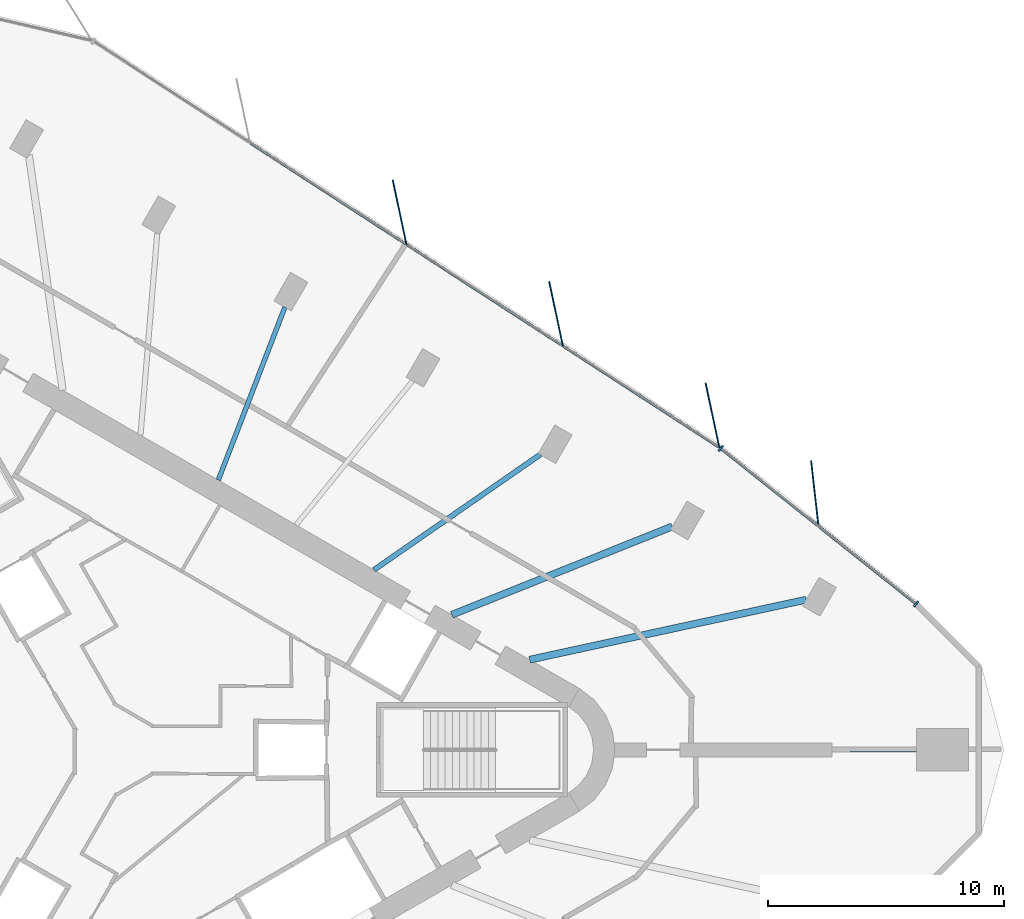
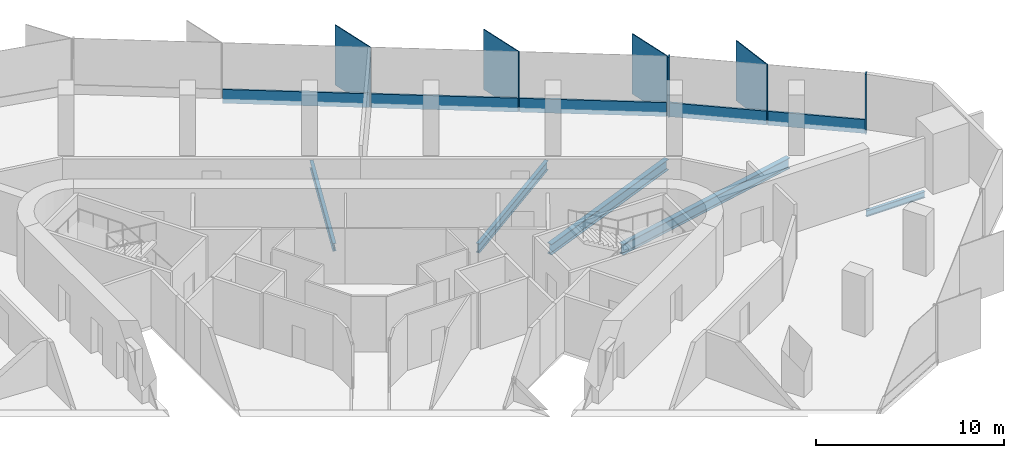
# One storey, part 5 of 13: 11 members, 5 beams, 2 elements without a shape of their own.
"""IFC4 building model written with IfcOpenShell, lengths in metres."""

import ifcopenshell
import ifcopenshell.guid

model = None  # the IFC model being written
_history = None  # IfcOwnerHistory: only IFC2X3 demands one
_inside = {}  # id of a spatial element -> (the spatial element, [elements in it])
_under = {}  # id of a project, library or spatial element -> (it, [spatial elements below it])
_declared = {}  # id of a project -> (the project, [libraries it declares])
_typed = {}  # id of a type object -> (the type object, [elements of that type])
_made_of = {}  # id of a material, layer set ... -> (it, [elements and type objects made of it])


def new_model(schema):
    """Start an empty IFC model of exactly this schema.

    Asked for "IFC4X3", IfcOpenShell would pick the latest addendum, in which some entities
    have other attributes; the version numbers below select the first issue.
    IFC2X3 requires an IfcOwnerHistory on every rooted entity: one is made here for all.
    """
    global model, _history
    if schema == "IFC4X3":
        model = ifcopenshell.file(schema_version=(4, 3, 0, 0))
    else:
        model = ifcopenshell.file(schema=schema)
    _inside.clear()
    _under.clear()
    _declared.clear()
    _typed.clear()
    _made_of.clear()
    _history = None
    if model.schema == "IFC2X3":
        org = make("IfcOrganization", Name="unknown")
        user = make(
            "IfcPersonAndOrganization",
            ThePerson=make("IfcPerson", FamilyName="unknown"),
            TheOrganization=org,
        )
        app = make(
            "IfcApplication",
            ApplicationDeveloper=org,
            Version="unknown",
            ApplicationFullName="unknown",
            ApplicationIdentifier="unknown",
        )
        _history = make(
            "IfcOwnerHistory",
            OwningUser=user,
            OwningApplication=app,
            ChangeAction="ADDED",
            CreationDate=0,
        )
    return model


def make(cls, **values):
    """One entity of the class cls with the attributes given. An attribute that is None is left unset."""
    return model.create_entity(
        cls, **{name: value for name, value in values.items() if value is not None}
    )


def rooted(cls, **values):
    """An entity with a GlobalId (a new one), such as an element, a storey or a relation."""
    return make(cls, GlobalId=ifcopenshell.guid.new(), OwnerHistory=_history, **values)


def si_unit(unit_type, name, prefix=None):
    """IfcSIUnit, for example si_unit("LENGTHUNIT", "METRE", prefix="MILLI")."""
    return make("IfcSIUnit", UnitType=unit_type, Prefix=prefix, Name=name)


def assignment(units):
    """IfcUnitAssignment: the units of a project."""
    return None if units is None else make("IfcUnitAssignment", Units=units)


def point(xyz):
    """IfcCartesianPoint."""
    return None if xyz is None else make("IfcCartesianPoint", Coordinates=xyz)


def direction(xyz):
    """IfcDirection."""
    return None if xyz is None else make("IfcDirection", DirectionRatios=xyz)


def frame(location, z_axis=None, x_axis=None):
    """IfcAxis2Placement3D, a coordinate frame: its origin and axes. An axis left out is left unset."""
    return make(
        "IfcAxis2Placement3D",
        Location=point(location),
        Axis=direction(z_axis),
        RefDirection=direction(x_axis),
    )


def frame_2d(location, x_axis=None):
    """IfcAxis2Placement2D, a coordinate frame in the plane: its origin and x axis."""
    return make(
        "IfcAxis2Placement2D", Location=point(location), RefDirection=direction(x_axis)
    )


def origin():
    """The frame at (0, 0, 0) with its axes left unset."""
    return frame((0.0, 0.0, 0.0))


def origin_2d():
    """The frame at (0, 0) in the plane with its x axis left unset."""
    return frame_2d((0.0, 0.0))


def place(relative_to, where):
    """IfcLocalPlacement: puts the frame where relative to a parent placement (None: the world)."""
    return make(
        "IfcLocalPlacement", PlacementRelTo=relative_to, RelativePlacement=where
    )


def context(
    kind, dimensions, precision=None, world=None, true_north=None, identifier=None
):
    """IfcGeometricRepresentationContext, for example the 3D "Model" context."""
    return make(
        "IfcGeometricRepresentationContext",
        ContextIdentifier=identifier,
        ContextType=kind,
        CoordinateSpaceDimension=dimensions,
        Precision=precision,
        WorldCoordinateSystem=world,
        TrueNorth=true_north,
    )


def subcontext(parent, identifier, kind, view, scale=None):
    """IfcGeometricRepresentationSubContext, for example "Body" below "Model"."""
    return make(
        "IfcGeometricRepresentationSubContext",
        ContextIdentifier=identifier,
        ContextType=kind,
        ParentContext=parent,
        TargetScale=scale,
        TargetView=view,
    )


def project(units=None, contexts=None):
    """IfcProject with its units and contexts."""
    return rooted(
        "IfcProject",
        Name="project",
        RepresentationContexts=contexts,
        UnitsInContext=assignment(units),
    )


def spatial(cls, under=None, at=None, **own):
    """A site, building, storey or space (cls), placed at a placement, below another one or the project."""
    s = rooted(cls, ObjectPlacement=at, **own)
    if under is not None:
        _under.setdefault(under.id(), (under, []))[1].append(s)
    return s


def profile(cls, at=None, kind="AREA", **sizes):
    """A parametric profile (cls). Its sizes go by their IFC names, for example OverallWidth=200.0."""
    return make(cls, ProfileType=kind, Position=at, **sizes)


def rectangle(**sizes):
    """IfcRectangleProfileDef."""
    return profile("IfcRectangleProfileDef", **sizes)


def i_section(**sizes):
    """IfcIShapeProfileDef."""
    return profile("IfcIShapeProfileDef", **sizes)


def extrude(swept, where, along, depth):
    """IfcExtrudedAreaSolid: the profile swept, set in the frame where, extruded along a direction by depth."""
    return make(
        "IfcExtrudedAreaSolid",
        SweptArea=swept,
        Position=where,
        ExtrudedDirection=direction(along),
        Depth=depth,
    )


def shape(context_of_items, identifier, shape_type, items):
    """IfcShapeRepresentation: the items that make up one representation, for example the "Body"."""
    return make(
        "IfcShapeRepresentation",
        ContextOfItems=context_of_items,
        RepresentationIdentifier=identifier,
        RepresentationType=shape_type,
        Items=items,
    )


def material(Name=None, Category=None):
    """IfcMaterial."""
    return make("IfcMaterial", Name=Name, Category=Category)


def material_profile(
    of_material, cross_section, Name=None, Category=None, Priority=None
):
    """IfcMaterialProfile: a cross section and its material."""
    return make(
        "IfcMaterialProfile",
        Name=Name,
        Material=of_material,
        Profile=cross_section,
        Priority=Priority,
        Category=Category,
    )


def profile_set(profiles, Name=None, composite=None):
    """IfcMaterialProfileSet."""
    return make(
        "IfcMaterialProfileSet",
        Name=Name,
        MaterialProfiles=profiles,
        CompositeProfile=composite,
    )


def made_of(thing, what):
    """Note that an element or type object is made of a material, layer set ...; save() writes the relation."""
    if what is not None:
        _made_of.setdefault(what.id(), (what, []))[1].append(thing)
    return thing


def type_object(cls, material=None, **own):
    """A type object (cls), such as IfcWallType, which elements share."""
    return made_of(rooted(cls, **own), material)


def element(
    cls,
    number,
    at=None,
    inside=None,
    cuts=None,
    type_object=None,
    material=None,
    context=None,
    identifier="Body",
    shape_type=None,
    held_by="IfcProductDefinitionShape",
    body=None,
    shapes=None,
    **own,
):
    """One element of the class cls, such as IfcWall. Its Tag is "e" and its number.

    at: its placement. inside: the storey or other place that contains it. cuts: it is an
    opening in that element (IfcRelVoidsElement). A single representation is given by context,
    identifier, shape_type and body (its items); several are given by shapes. held_by: the class
    of the entity that holds the representations. save() writes the other relations.
    """
    e = rooted(cls, Tag="e%d" % number, ObjectPlacement=at, **own)
    if body is not None:
        shapes = [shape(context, identifier, shape_type, body)]
    if shapes is not None:
        e.Representation = make(held_by, Representations=shapes)
    if inside is not None:
        _inside.setdefault(inside.id(), (inside, []))[1].append(e)
    if cuts is not None:
        rooted(
            "IfcRelVoidsElement", RelatingBuildingElement=cuts, RelatedOpeningElement=e
        )
    if type_object is not None:
        _typed.setdefault(type_object.id(), (type_object, []))[1].append(e)
    return made_of(e, material)


def aggregate(whole, parts):
    """IfcRelAggregates: a whole, such as a stair, and the parts it consists of."""
    return rooted("IfcRelAggregates", RelatingObject=whole, RelatedObjects=parts)


def save(model, path):
    """Write the relations noted so far, then the file.

    IfcRelAggregates (storeys below a building ...), IfcRelContainedInSpatialStructure (elements
    in a storey), IfcRelDefinesByType, IfcRelAssociatesMaterial and IfcRelDeclares: one each for
    every whole, place, type object, material and project.
    """
    for whole, parts in _under.values():
        aggregate(whole, parts)
    for where, things in _inside.values():
        rooted(
            "IfcRelContainedInSpatialStructure",
            RelatedElements=things,
            RelatingStructure=where,
        )
    for kind, things in _typed.values():
        rooted("IfcRelDefinesByType", RelatedObjects=things, RelatingType=kind)
    for what, things in _made_of.values():
        rooted("IfcRelAssociatesMaterial", RelatedObjects=things, RelatingMaterial=what)
    for by, libraries in _declared.values():
        rooted("IfcRelDeclares", RelatingContext=by, RelatedDefinitions=libraries)
    model.write(path)


model = new_model("IFC4")

# Units and contexts
model_context = context("Model", 3, precision=1e-05, world=origin(), true_north=direction((0.0, 1.0)))
body_context = subcontext(model_context, "Body", "Model", "MODEL_VIEW")
ifc_project = project(units=[si_unit("LENGTHUNIT", "METRE"), si_unit("AREAUNIT", "SQUARE_METRE"), si_unit("VOLUMEUNIT", "CUBIC_METRE"), si_unit("PLANEANGLEUNIT", "RADIAN"), si_unit("MASSUNIT", "GRAM", prefix="KILO")], contexts=[model_context])

# Site, building, storey
site_placement = place(None, origin())
site = spatial("IfcSite", under=ifc_project, at=site_placement, CompositionType="ELEMENT")
building_placement = place(site_placement, origin())
building = spatial("IfcBuilding", under=site, at=building_placement, Name="Tanit Gate Tower", CompositionType="ELEMENT")
storey_placement = place(building_placement, frame((0.0, 0.0, 318.199951171875)))
storey = spatial("IfcBuildingStorey", under=building, at=storey_placement, Name="L71", CompositionType="ELEMENT", Elevation=318.199951171875)

# Curtain wall, member
ifc_material_1 = material(Name="Aluminium bronze anodised and glass", Category="aluminium")
curtain_wall_type = type_object("IfcCurtainWallType", Name="Curtain wall typical high", PredefinedType="NOTDEFINED", material=ifc_material_1)
curtain_wall_1_placement = place(storey_placement, origin())
curtain_wall_1 = element("IfcCurtainWall", 1, at=curtain_wall_1_placement, inside=storey, type_object=curtain_wall_type, Name="Curtain wall L71 NE1", PredefinedType="NOTDEFINED")
ifc_material_2 = material(Name="Aluminium bronze anodised", Category="aluminium")
ifc_material_profile_1 = material_profile(ifc_material_2, rectangle(XDim=2.800048828125, YDim=0.055908203125, at=origin_2d()), Name="56x2800 bronze fin mullion")
ifc_profile_set_1 = profile_set([ifc_material_profile_1], Name="Aluminium bronze anodised")
member_type_1 = type_object("IfcMemberType", Name="FIN MULLION 56x2800 bronze", PredefinedType="MULLION", material=ifc_profile_set_1)
member_1_placement = place(storey_placement, frame((29.66943359375, 10.850830078125, -0.300048828125), z_axis=(0.0, 0.0, 1.0), x_axis=(0.112781619108, -0.993619799718, 0.0)))
member_1 = element("IfcMember", 2, at=member_1_placement, type_object=member_type_1, Name="Fin mullion L71 NE1.2", PredefinedType="MULLION", context=body_context, shape_type="SweptSolid", body=[
    extrude(rectangle(XDim=2.800048828125, YDim=0.055908203125, at=origin_2d()), origin(), (0.0, 0.0, 1.0), 3.900146484375),
])

# Curtain wall, members
curtain_wall_2_placement = place(storey_placement, origin())
curtain_wall_2 = element("IfcCurtainWall", 3, at=curtain_wall_2_placement, inside=storey, type_object=curtain_wall_type, Name="Curtain wall L71 NE2", PredefinedType="NOTDEFINED")
member_2_placement = place(storey_placement, frame((25.33447265625, 14.170654296875, -0.300048828125), z_axis=(0.0, 0.0, 1.0), x_axis=(0.208237849046, -0.978078216824, 0.0)))
member_2 = element("IfcMember", 4, at=member_2_placement, type_object=member_type_1, Name="Fin mullion L71 NE2.1", PredefinedType="MULLION", context=body_context, shape_type="SweptSolid", body=[
    extrude(rectangle(XDim=2.800048828125, YDim=0.055908203125, at=origin_2d()), origin(), (0.0, 0.0, 1.0), 3.900146484375),
])
member_3_placement = place(storey_placement, frame((18.7080078125, 18.470703125, -0.300048828125), z_axis=(0.0, 0.0, 1.0), x_axis=(0.208237849046, -0.978078216824, 0.0)))
member_3 = element("IfcMember", 5, at=member_3_placement, type_object=member_type_1, Name="Fin mullion L71 NE2.2", PredefinedType="MULLION", context=body_context, shape_type="SweptSolid", body=[
    extrude(rectangle(XDim=2.800048828125, YDim=0.055908203125, at=origin_2d()), origin(), (0.0, 0.0, 1.0), 3.900146484375),
])
member_4_placement = place(storey_placement, frame((12.08154296875, 22.770751953125, -0.300048828125), z_axis=(0.0, 0.0, 1.0), x_axis=(0.208237849046, -0.978078216824, 0.0)))
member_4 = element("IfcMember", 6, at=member_4_placement, type_object=member_type_1, Name="Fin mullion L71 NE2.3", PredefinedType="MULLION", context=body_context, shape_type="SweptSolid", body=[
    extrude(rectangle(XDim=2.800048828125, YDim=0.055908203125, at=origin_2d()), origin(), (0.0, 0.0, 1.0), 3.900146484375),
])

# Member
ifc_material_3 = material(Name="Aluminium bronze anodised", Category="aluminium")
ifc_material_profile_2 = material_profile(ifc_material_3, rectangle(XDim=0.280029296875, YDim=0.080078125, at=origin_2d()), Name="80x280 bronze mullion")
ifc_profile_set_2 = profile_set([ifc_material_profile_2], Name="Aluminium bronze anodised")
member_type_2 = type_object("IfcMemberType", Name="Mullion 80x280 typical high", PredefinedType="MULLION", material=ifc_profile_set_2)
member_5_placement = place(storey_placement, frame((33.96337890625, 6.184814453125, -0.300048828125), z_axis=(0.0, 0.0, 1.0), x_axis=(-0.622846650637, -0.782343945966, 0.0)))
member_5 = element("IfcMember", 7, at=member_5_placement, type_object=member_type_2, Name="Mullion L71 NE1.1", PredefinedType="MULLION", context=body_context, shape_type="SweptSolid", body=[
    extrude(rectangle(XDim=0.280029296875, YDim=0.080078125, at=origin_2d()), origin(), (0.0, 0.0, 1.0), 3.900146484375),
])

member_6_placement = place(storey_placement, frame((25.686767578125, 12.77392578125, -0.300048828125), z_axis=(0.0, 0.0, 1.0), x_axis=(-0.622846650637, -0.782343945966, 0.0)))
member_6 = element("IfcMember", 8, at=member_6_placement, type_object=member_type_2, Name="Mullion L71 NE1.3", PredefinedType="MULLION", context=body_context, shape_type="SweptSolid", body=[
    extrude(rectangle(XDim=0.280029296875, YDim=0.080078125, at=origin_2d()), origin(), (0.0, 0.0, 1.0), 3.900146484375),
])

# Beams
ifc_material_4 = material(Name="Steel S355", Category="steel")
ifc_material_profile_3 = material_profile(ifc_material_4, i_section(OverallWidth=0.300048828125, OverallDepth=0.68994140625, WebThickness=0.014404296875, FlangeThickness=0.027099609375, FilletRadius=0.027099609375, at=origin_2d()), Name="HEA 700")
ifc_profile_set_3 = profile_set([ifc_material_profile_3], Name="Steel S355")
beam_type_1 = type_object("IfcBeamType", Name="RADIAL GIRDER HEA 700 S355", PredefinedType="BEAM", material=ifc_profile_set_3)
beam_1_placement = place(storey_placement, frame((29.306396484375, 6.36279296875, -0.64501953125), z_axis=(-0.977231463817, -0.212176026275, 0.0), x_axis=(0.212176026275, -0.977231463817, 0.0)))
element("IfcBeam", 9, at=beam_1_placement, inside=storey, type_object=beam_type_1, Name="RADIAL GIRDER", PredefinedType="BEAM", context=body_context, shape_type="SweptSolid", body=[
    extrude(i_section(OverallWidth=0.300048828125, OverallDepth=0.68994140625, WebThickness=0.014404296875, FlangeThickness=0.027099609375, FilletRadius=0.027099609375, at=origin_2d()), origin(), (0.0, 0.0, 1.0), 11.98974609375),
])
beam_2_placement = place(storey_placement, frame((23.631103515625, 9.461181640625, -0.64501953125), z_axis=(-0.928359475125, -0.371683581753, 0.0), x_axis=(0.371683581753, -0.928359475125, 0.0)))
element("IfcBeam", 10, at=beam_2_placement, inside=storey, type_object=beam_type_1, Name="RADIAL GIRDER", PredefinedType="BEAM", context=body_context, shape_type="SweptSolid", body=[
    extrude(i_section(OverallWidth=0.300048828125, OverallDepth=0.68994140625, WebThickness=0.014404296875, FlangeThickness=0.027099609375, FilletRadius=0.027099609375, at=origin_2d()), origin(), (0.0, 0.0, 1.0), 10.05908203125),
])
ifc_material_5 = material(Name="Steel S355", Category="steel")
ifc_material_profile_4 = material_profile(ifc_material_5, i_section(OverallWidth=0.179931640625, OverallDepth=0.39990234375, WebThickness=0.008544921875, FlangeThickness=0.013427734375, FilletRadius=0.02099609375, at=origin_2d()), Name="IPE 400")
ifc_profile_set_4 = profile_set([ifc_material_profile_4], Name="Steel S355")
beam_type_2 = type_object("IfcBeamType", Name="RADIAL GIRDER IPE 400 S355", PredefinedType="BEAM", material=ifc_profile_set_4)
beam_3_placement = place(storey_placement, frame((33.98291015625, 0.0, -0.5), z_axis=(-1.0, 0.0, 0.0), x_axis=(0.0, -1.0, 0.0)))
element("IfcBeam", 11, at=beam_3_placement, inside=storey, type_object=beam_type_2, Name="RADIAL GIRDER", PredefinedType="BEAM", context=body_context, shape_type="SweptSolid", body=[
    extrude(i_section(OverallWidth=0.179931640625, OverallDepth=0.39990234375, WebThickness=0.008544921875, FlangeThickness=0.013427734375, FilletRadius=0.02099609375, at=origin_2d()), origin(), (0.0, 0.0, 1.0), 3.5791015625),
])
ifc_material_6 = material(Name="Steel S355", Category="steel")
ifc_material_profile_5 = material_profile(ifc_material_6, i_section(OverallWidth=0.199951171875, OverallDepth=0.5, WebThickness=0.01025390625, FlangeThickness=0.01611328125, FilletRadius=0.02099609375, at=origin_2d()), Name="IPE 500")
ifc_profile_set_5 = profile_set([ifc_material_profile_5], Name="Steel S355")
beam_type_3 = type_object("IfcBeamType", Name="RADIAL GIRDER IPE 500 S355", PredefinedType="BEAM", material=ifc_profile_set_5)
beam_4_placement = place(storey_placement, frame((7.22119140625, 18.751220703125, -0.550048828125), z_axis=(-0.359385809885, -0.933189069617, 0.0), x_axis=(0.933189069617, -0.359385809885, 0.0)))
element("IfcBeam", 12, at=beam_4_placement, inside=storey, type_object=beam_type_3, Name="RADIAL GIRDER", PredefinedType="BEAM", context=body_context, shape_type="SweptSolid", body=[
    extrude(i_section(OverallWidth=0.199951171875, OverallDepth=0.5, WebThickness=0.01025390625, FlangeThickness=0.01611328125, FilletRadius=0.02099609375, at=origin_2d()), origin(), (0.0, 0.0, 1.0), 7.8427734375),
])
ifc_material_7 = material(Name="Steel S355", Category="steel")
ifc_material_profile_6 = material_profile(ifc_material_7, i_section(OverallWidth=0.219970703125, OverallDepth=0.60009765625, WebThickness=0.011962890625, FlangeThickness=0.01904296875, FilletRadius=0.02392578125, at=origin_2d()), Name="IPE 600")
ifc_profile_set_6 = profile_set([ifc_material_profile_6], Name="Steel S355")
beam_type_4 = type_object("IfcBeamType", Name="RADIAL GIRDER IPE 600 S355", PredefinedType="BEAM", material=ifc_profile_set_6)
beam_5_placement = place(storey_placement, frame((18.03564453125, 12.50732421875, -0.599853515625), z_axis=(-0.821738455581, -0.569864817847, 0.0), x_axis=(0.569864817847, -0.821738455581, 0.0)))
element("IfcBeam", 13, at=beam_5_placement, inside=storey, type_object=beam_type_4, Name="RADIAL GIRDER", PredefinedType="BEAM", context=body_context, shape_type="SweptSolid", body=[
    extrude(i_section(OverallWidth=0.219970703125, OverallDepth=0.60009765625, WebThickness=0.011962890625, FlangeThickness=0.01904296875, FilletRadius=0.02392578125, at=origin_2d()), origin(), (0.0, 0.0, 1.0), 8.566650390625),
])

# Member
ifc_material_8 = material(Name="Aluminium bronze anodised", Category="aluminium")
ifc_material_profile_7 = material_profile(ifc_material_8, rectangle(XDim=0.1201171875, YDim=0.89990234375, at=origin_2d()), Name="120x900 bronze transom")
ifc_profile_set_7 = profile_set([ifc_material_profile_7], Name="Aluminium bronze anodised")
member_type_3 = type_object("IfcMemberType", Name="Transom 120x900 typical high", PredefinedType="USERDEFINED", material=ifc_profile_set_7)
member_7_placement = place(storey_placement, frame((33.93212890625, 6.209716796875, 0.150146484375), z_axis=(-0.78235710859, 0.622830116998, 0.0), x_axis=(-0.622830116998, -0.78235710859, 0.0)))
member_7 = element("IfcMember", 14, at=member_7_placement, type_object=member_type_3, Name="Transom L71 NE1.1", ObjectType="TRANSOM", PredefinedType="USERDEFINED", context=body_context, shape_type="SweptSolid", body=[
    extrude(rectangle(XDim=0.1201171875, YDim=0.89990234375, at=origin_2d()), origin(), (0.0, 0.0, 1.0), 5.20947265625),
])

member_8_placement = place(storey_placement, frame((29.7939453125, 9.504150390625, 0.150146484375), z_axis=(-0.782352452495, 0.622835965625, 0.0), x_axis=(-0.622835965625, -0.782352452495, 0.0)))
member_8 = element("IfcMember", 15, at=member_8_placement, type_object=member_type_3, Name="Transom L71 NE1.2", ObjectType="TRANSOM", PredefinedType="USERDEFINED", context=body_context, shape_type="SweptSolid", body=[
    extrude(rectangle(XDim=0.1201171875, YDim=0.89990234375, at=origin_2d()), origin(), (0.0, 0.0, 1.0), 5.209716796875),
])

aggregate(curtain_wall_1, [member_5, member_1, member_6, member_7, member_8])

member_9_placement = place(storey_placement, frame((25.58837890625, 12.842529296875, 0.150146484375), z_axis=(-0.838850699272, 0.544361556624, 0.0), x_axis=(-0.544361556624, -0.838850699272, 0.0)))
member_9 = element("IfcMember", 16, at=member_9_placement, type_object=member_type_3, Name="Transom L71 NE2.1", ObjectType="TRANSOM", PredefinedType="USERDEFINED", context=body_context, shape_type="SweptSolid", body=[
    extrude(rectangle(XDim=0.1201171875, YDim=0.89990234375, at=origin_2d()), origin(), (0.0, 0.0, 1.0), 7.8193359375),
])

member_10_placement = place(storey_placement, frame((18.9619140625, 17.142578125, 0.150146484375), z_axis=(-0.838850699272, 0.544361556624, 0.0), x_axis=(-0.544361556624, -0.838850699272, 0.0)))
member_10 = element("IfcMember", 17, at=member_10_placement, type_object=member_type_3, Name="Transom L71 NE2.2", ObjectType="TRANSOM", PredefinedType="USERDEFINED", context=body_context, shape_type="SweptSolid", body=[
    extrude(rectangle(XDim=0.1201171875, YDim=0.89990234375, at=origin_2d()), origin(), (0.0, 0.0, 1.0), 7.8193359375),
])

member_11_placement = place(storey_placement, frame((12.33544921875, 21.442626953125, 0.150146484375), z_axis=(-0.838850699272, 0.544361556624, 0.0), x_axis=(-0.544361556624, -0.838850699272, 0.0)))
member_11 = element("IfcMember", 18, at=member_11_placement, type_object=member_type_3, Name="Transom L71 NE2.3", ObjectType="TRANSOM", PredefinedType="USERDEFINED", context=body_context, shape_type="SweptSolid", body=[
    extrude(rectangle(XDim=0.1201171875, YDim=0.89990234375, at=origin_2d()), origin(), (0.0, 0.0, 1.0), 7.8193359375),
])

aggregate(curtain_wall_2, [member_2, member_3, member_4, member_9, member_10, member_11])

save(model, "model.ifc")
